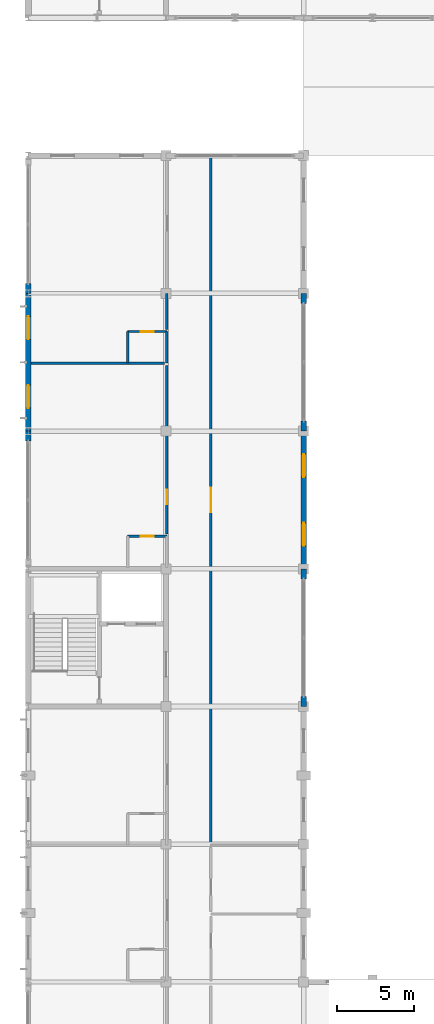
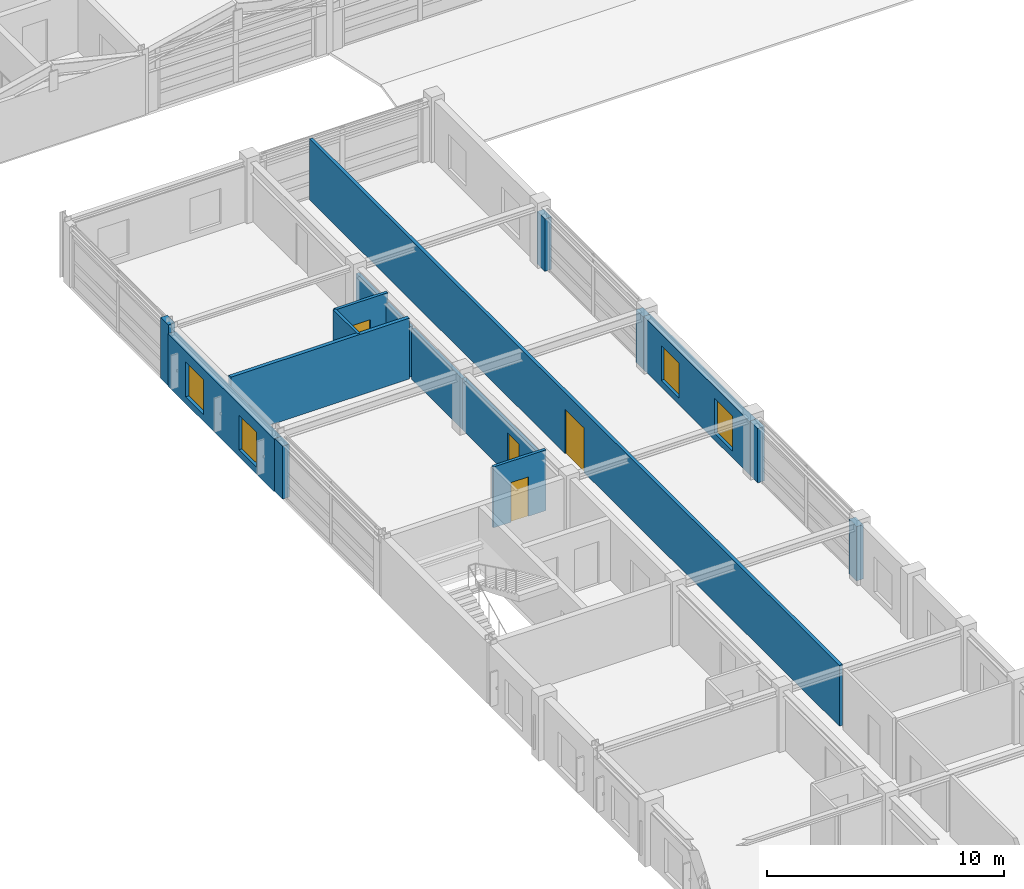
# One storey, part 73 of 91: 17 walls, 4 doors, 4 windows, 8 openings.
"""IFC4 building model written with IfcOpenShell, lengths in metres."""

from ifc_helpers import new_model, si_unit, direction, frame, frame_2d, origin, place, context, subcontext, project, spatial, rectangle, extrude, material, layer, layer_set, type_object, element, fill, save


model = new_model("IFC4")

# Units and contexts
model_context = context("Model", 3, precision=1e-05, world=origin(), true_north=direction((0.0, 1.0)))
body_context = subcontext(model_context, "Body", "Model", "MODEL_VIEW")
ifc_project = project(units=[si_unit("LENGTHUNIT", "METRE"), si_unit("AREAUNIT", "SQUARE_METRE"), si_unit("VOLUMEUNIT", "CUBIC_METRE"), si_unit("PLANEANGLEUNIT", "RADIAN"), si_unit("MASSUNIT", "GRAM", prefix="KILO")], contexts=[model_context])

# Site, building, storey
site_placement = place(None, origin())
site = spatial("IfcSite", under=ifc_project, at=site_placement, CompositionType="ELEMENT")
building_placement = place(site_placement, origin())
building = spatial("IfcBuilding", under=site, at=building_placement, Name="Palais des Congres Ocreval", CompositionType="ELEMENT")
storey_placement = place(building_placement, frame((0.0, 0.0, 8.159912109375)))
storey = spatial("IfcBuildingStorey", under=building, at=storey_placement, Name="L02", CompositionType="ELEMENT", Elevation=8.159912109375)

# Wall, opening, door
ifc_material_1 = material(Name="Moisture-resistant gypsum board")
ifc_layer_1 = layer(ifc_material_1, 0.139892578125)
ifc_layer_set_1 = layer_set([ifc_layer_1], Name="Bathroom Plumbing Chase Wall 140 Gypsum (Moisture-resistant gypsum board)")
wall_type_1 = type_object("IfcWallType", Name="Bathroom Plumbing Chase Wall 140 Gypsum", PredefinedType="PLUMBINGWALL", material=ifc_layer_set_1)
wall_1_placement = place(storey_placement, frame((6.5, 47.1298828125, 0.0), z_axis=(0.0, 0.0, 1.0), x_axis=(1.0, 0.0, 0.0)))
wall_1 = element("IfcWall", 1, at=wall_1_placement, inside=storey, type_object=wall_type_1, Name="Bathroom Plumbing Wall PW03 L02", PredefinedType="PLUMBINGWALL", context=body_context, shape_type="SweptSolid", body=[
    extrude(rectangle(XDim=2.56005859375, YDim=0.139892578125, at=frame_2d((1.280029296875, 0.0))), origin(), (0.0, 0.0, 1.0), 3.14013671875),
])
opening_1_placement = place(wall_1_placement, frame((0.85498046875, 0.0, 0.0)))
opening_1 = element("IfcOpeningElement", 2, at=opening_1_placement, cuts=wall_1, Name="Opening D08", PredefinedType="OPENING", context=body_context, shape_type="SweptSolid", body=[
    extrude(rectangle(XDim=0.85009765625, YDim=2.0400390625, at=frame_2d((0.425048828125, 1.02001953125))), frame((0.0, 0.079833984375, 0.0), z_axis=(0.0, -1.0, 0.0), x_axis=(1.0, 0.0, 0.0)), (0.0, 0.0, 1.0), 0.159912109375),
])
ifc_material_2 = material(Name="Solid French oak", Category="wood")
door_type_1 = type_object("IfcDoorType", Name="En-Suite Bathroom Door 850x2040", OperationType="NOTDEFINED", PredefinedType="DOOR", material=ifc_material_2)
door_1_placement = place(opening_1_placement, origin())
door_1 = element("IfcDoor", 3, at=door_1_placement, inside=storey, type_object=door_type_1, Name="En-Suite Bathroom Door D08 L02", OperationType="SINGLE_SWING_LEFT", OverallHeight=2.0400390625, OverallWidth=0.85009765625, PredefinedType="DOOR", context=body_context, shape_type="SweptSolid", body=[
    extrude(rectangle(XDim=0.85009765625, YDim=2.0400390625, at=frame_2d((0.425048828125, 1.02001953125))), frame((0.0, 0.02490234375, 0.0), z_axis=(0.0, -1.0, 0.0), x_axis=(1.0, 0.0, 0.0)), (0.0, 0.0, 1.0), 0.050048828125),
])
fill(opening_1, door_1)

wall_2_placement = place(storey_placement, frame((6.5, 60.5, 0.0), z_axis=(0.0, 0.0, 1.0), x_axis=(1.0, 0.0, 0.0)))
wall_2 = element("IfcWall", 4, at=wall_2_placement, inside=storey, type_object=wall_type_1, Name="Bathroom Plumbing Wall PW03 L02", PredefinedType="PLUMBINGWALL", context=body_context, shape_type="SweptSolid", body=[
    extrude(rectangle(XDim=2.56005859375, YDim=0.139892578125, at=frame_2d((1.280029296875, 0.0))), origin(), (0.0, 0.0, 1.0), 3.14013671875),
])
opening_2_placement = place(wall_2_placement, frame((0.85498046875, 0.0, 0.0)))
opening_2 = element("IfcOpeningElement", 5, at=opening_2_placement, cuts=wall_2, Name="Opening D08", PredefinedType="OPENING", context=body_context, shape_type="SweptSolid", body=[
    extrude(rectangle(XDim=0.85009765625, YDim=2.0400390625, at=frame_2d((0.425048828125, 1.02001953125))), frame((0.0, 0.079833984375, 0.0), z_axis=(0.0, -1.0, 0.0), x_axis=(1.0, 0.0, 0.0)), (0.0, 0.0, 1.0), 0.159912109375),
])
door_2_placement = place(opening_2_placement, origin())
door_2 = element("IfcDoor", 6, at=door_2_placement, inside=storey, type_object=door_type_1, Name="En-Suite Bathroom Door D08 L02", OperationType="SINGLE_SWING_RIGHT", OverallHeight=2.0400390625, OverallWidth=0.85009765625, PredefinedType="DOOR", context=body_context, shape_type="SweptSolid", body=[
    extrude(rectangle(XDim=0.85009765625, YDim=2.0400390625, at=frame_2d((0.425048828125, 1.02001953125))), frame((0.0, 0.02490234375, 0.0), z_axis=(0.0, -1.0, 0.0), x_axis=(1.0, 0.0, 0.0)), (0.0, 0.0, 1.0), 0.050048828125),
])
fill(opening_2, door_2)

# Walls
wall_3_placement = place(storey_placement, frame((6.5, 58.43994140625, 0.0), z_axis=(0.0, 0.0, 1.0), x_axis=(0.0, 1.0, 0.0)))
element("IfcWall", 7, at=wall_3_placement, inside=storey, type_object=wall_type_1, Name="Bathroom Plumbing Wall PW03 L02", PredefinedType="PLUMBINGWALL", context=body_context, shape_type="SweptSolid", body=[
    extrude(rectangle(XDim=2.06005859375, YDim=0.139892578125, at=frame_2d((1.030029296875, 0.0))), origin(), (0.0, 0.0, 1.0), 3.14013671875),
])
ifc_material_3 = material(Name="Gypsum acoustic partition")
ifc_layer_2 = layer(ifc_material_3, 0.159912109375)
ifc_layer_set_2 = layer_set([ifc_layer_2], Name="Corridor Fire Partition 160 Gypsum (Gypsum acoustic partition)")
wall_type_2 = type_object("IfcWallType", Name="Corridor Fire Partition 160 Gypsum", PredefinedType="PARTITIONING", material=ifc_layer_set_2)
wall_4_placement = place(storey_placement, frame((9.06005859375, 58.43994140625, 0.0), z_axis=(0.0, 0.0, 1.0), x_axis=(0.0, 1.0, 0.0)))
element("IfcWall", 8, at=wall_4_placement, inside=storey, type_object=wall_type_2, Name="Corridor Partition IW03 L02", PredefinedType="PARTITIONING", context=body_context, shape_type="SweptSolid", body=[
    extrude(rectangle(XDim=2.06005859375, YDim=0.159912109375, at=frame_2d((1.030029296875, 0.0))), origin(), (0.0, 0.0, 1.0), 2.610107421875),
])

# Wall, opening, door
wall_5_placement = place(storey_placement, frame((11.93505859375, 27.090087890625, 0.0), z_axis=(0.0, 0.0, 1.0), x_axis=(0.0, 1.0, 0.0)))
wall_5 = element("IfcWall", 9, at=wall_5_placement, inside=storey, type_object=wall_type_2, Name="Interior Partition IW03 L02", PredefinedType="PARTITIONING", context=body_context, shape_type="SweptSolid", body=[
    extrude(rectangle(XDim=44.81494140625, YDim=0.159912109375, at=frame_2d((22.407470703125, 0.0))), origin(), (0.0, 0.0, 1.0), 3.14013671875),
])
opening_3_placement = place(wall_5_placement, frame((21.607421875, 0.0, 0.0)))
opening_3 = element("IfcOpeningElement", 10, at=opening_3_placement, cuts=wall_5, Name="Opening D12", PredefinedType="OPENING", context=body_context, shape_type="SweptSolid", body=[
    extrude(rectangle(XDim=1.60009765625, YDim=2.300048828125, at=frame_2d((0.800048828125, 1.14990234375))), frame((0.0, 0.08984375, 0.0), z_axis=(0.0, -1.0, 0.0), x_axis=(1.0, 0.0, 0.0)), (0.0, 0.0, 1.0), 0.179931640625),
])
door_type_2 = type_object("IfcDoorType", Name="Meeting Room Acoustic Double Door 1600x2300", OperationType="NOTDEFINED", PredefinedType="DOOR", material=ifc_material_2)
door_3_placement = place(opening_3_placement, origin())
door_3 = element("IfcDoor", 11, at=door_3_placement, inside=storey, type_object=door_type_2, Name="Interior Door D12 L02", OperationType="DOUBLE_DOOR_SINGLE_SWING", OverallHeight=2.300048828125, OverallWidth=1.60009765625, PredefinedType="DOOR", context=body_context, shape_type="SweptSolid", body=[
    extrude(rectangle(XDim=1.60009765625, YDim=2.300048828125, at=frame_2d((0.800048828125, 1.14990234375))), frame((0.0, 0.02490234375, 0.0), z_axis=(0.0, -1.0, 0.0), x_axis=(1.0, 0.0, 0.0)), (0.0, 0.0, 1.0), 0.050048828125),
])
fill(opening_3, door_3)

wall_6_placement = place(storey_placement, frame((9.06494140625, 47.284912109375, 0.0), z_axis=(0.0, 0.0, 1.0), x_axis=(0.0, 1.0, 0.0)))
wall_6 = element("IfcWall", 12, at=wall_6_placement, inside=storey, type_object=wall_type_2, Name="Interior Partition IW03 L02", PredefinedType="PARTITIONING", context=body_context, shape_type="SweptSolid", body=[
    extrude(rectangle(XDim=6.695068359375, YDim=0.159912109375, at=frame_2d((3.34765625, 0.0))), origin(), (0.0, 0.0, 1.0), 2.66015625),
])
opening_4_placement = place(wall_6_placement, frame((1.925048828125, 0.0, 0.0)))
opening_4 = element("IfcOpeningElement", 13, at=opening_4_placement, cuts=wall_6, Name="Opening D05", PredefinedType="OPENING", context=body_context, shape_type="SweptSolid", body=[
    extrude(rectangle(XDim=0.949951171875, YDim=2.14990234375, at=frame_2d((0.47509765625, 1.074951171875))), frame((0.0, 0.08984375, 0.0), z_axis=(0.0, -1.0, 0.0), x_axis=(1.0, 0.0, 0.0)), (0.0, 0.0, 1.0), 0.179931640625),
])
door_type_3 = type_object("IfcDoorType", Name="Hotel Guestroom Entrance Door 950x2150", OperationType="NOTDEFINED", PredefinedType="DOOR", material=ifc_material_2)
door_4_placement = place(opening_4_placement, origin())
door_4 = element("IfcDoor", 14, at=door_4_placement, inside=storey, type_object=door_type_3, Name="Interior Door D05 L02", OperationType="SINGLE_SWING_RIGHT", OverallHeight=2.14990234375, OverallWidth=0.949951171875, PredefinedType="DOOR", context=body_context, shape_type="SweptSolid", body=[
    extrude(rectangle(XDim=0.949951171875, YDim=2.14990234375, at=frame_2d((0.47509765625, 1.074951171875))), frame((0.0, 0.02490234375, 0.0), z_axis=(0.0, -1.0, 0.0), x_axis=(1.0, 0.0, 0.0)), (0.0, 0.0, 1.0), 0.050048828125),
])
fill(opening_4, door_4)

# Walls
wall_7_placement = place(storey_placement, frame((9.06494140625, 60.655029296875, 0.0), z_axis=(0.0, 0.0, 1.0), x_axis=(0.0, 1.0, 0.0)))
element("IfcWall", 15, at=wall_7_placement, inside=storey, type_object=wall_type_2, Name="Interior Partition IW03 L02", PredefinedType="PARTITIONING", context=body_context, shape_type="SweptSolid", body=[
    extrude(rectangle(XDim=2.324951171875, YDim=0.159912109375, at=frame_2d((1.16259765625, 0.0))), origin(), (0.0, 0.0, 1.0), 2.610107421875),
])
wall_8_placement = place(storey_placement, frame((9.06494140625, 53.97998046875, 0.0), z_axis=(0.0, 0.0, 1.0), x_axis=(0.0, 1.0, 0.0)))
element("IfcWall", 16, at=wall_8_placement, inside=storey, type_object=wall_type_2, Name="Interior Partition IW03 L02", PredefinedType="PARTITIONING", context=body_context, shape_type="SweptSolid", body=[
    extrude(rectangle(XDim=4.300048828125, YDim=0.159912109375, at=frame_2d((2.14990234375, 0.0))), origin(), (0.0, 0.0, 1.0), 2.610107421875),
])
ifc_layer_3 = layer(ifc_material_3, 0.179931640625)
ifc_layer_set_3 = layer_set([ifc_layer_3], Name="Hotel Inter-Room Acoustic Partition 180 Gypsum (Gypsum acoustic partition)")
wall_type_3 = type_object("IfcWallType", Name="Hotel Inter-Room Acoustic Partition 180 Gypsum", PredefinedType="PARTITIONING", material=ifc_layer_set_3)
wall_9_placement = place(storey_placement, frame((0.195068359375, 58.43505859375, 0.0), z_axis=(0.0, 0.0, 1.0), x_axis=(1.0, 0.0, 0.0)))
element("IfcWall", 17, at=wall_9_placement, inside=storey, type_object=wall_type_3, Name="Hotel Party Partition IW02 L02", PredefinedType="PARTITIONING", context=body_context, shape_type="SweptSolid", body=[
    extrude(rectangle(XDim=8.7099609375, YDim=0.179931640625, at=frame_2d((4.35498046875, 0.0))), origin(), (0.0, 0.0, 1.0), 3.14013671875),
])

# Wall, openings, windows
ifc_material_4 = material(Name="Concrete C40/50", Category="concrete")
ifc_layer_4 = layer(ifc_material_4, 0.3798828125)
ifc_layer_set_4 = layer_set([ifc_layer_4], Name="Lutetian Limestone Street Wall 380 Concrete C40/50")
wall_type_4 = type_object("IfcWallType", Name="Lutetian Limestone Street Wall 380 Concrete C40/50", PredefinedType="SOLIDWALL", material=ifc_layer_set_4)
wall_10_placement = place(storey_placement, frame((0.0, 54.0, 0.0), z_axis=(0.0, 0.0, 1.0), x_axis=(0.0, 1.0, 0.0)))
wall_10 = element("IfcWall", 18, at=wall_10_placement, inside=storey, type_object=wall_type_4, Name="Exterior Wall EW03 L02", PredefinedType="SOLIDWALL", context=body_context, shape_type="SweptSolid", body=[
    extrude(rectangle(XDim=9.0, YDim=0.3798828125, at=frame_2d((4.5, 0.0))), origin(), (0.0, 0.0, 1.0), 2.7001953125),
])
opening_5_placement = place(wall_10_placement, frame((1.5, 0.0, 0.35009765625)))
opening_5 = element("IfcOpeningElement", 19, at=opening_5_placement, cuts=wall_10, Name="Opening WN06", PredefinedType="OPENING", context=body_context, shape_type="SweptSolid", body=[
    extrude(rectangle(XDim=1.5, YDim=1.800048828125, at=frame_2d((0.75, 0.89990234375))), frame((0.0, 0.199951171875, 0.0), z_axis=(0.0, -1.0, 0.0), x_axis=(1.0, 0.0, 0.0)), (0.0, 0.0, 1.0), 0.39990234375),
])
opening_6_placement = place(wall_10_placement, frame((6.0, 0.0, 0.35009765625)))
opening_6 = element("IfcOpeningElement", 20, at=opening_6_placement, cuts=wall_10, Name="Opening WN06", PredefinedType="OPENING", context=body_context, shape_type="SweptSolid", body=[
    extrude(rectangle(XDim=1.5, YDim=1.800048828125, at=frame_2d((0.75, 0.89990234375))), frame((0.0, 0.199951171875, 0.0), z_axis=(0.0, -1.0, 0.0), x_axis=(1.0, 0.0, 0.0)), (0.0, 0.0, 1.0), 0.39990234375),
])
ifc_material_5 = material(Name="Anodized bronze aluminium and low-E glass", Category="glass")
window_type = type_object("IfcWindowType", Name="Upper Setback Window 1500x1800", PartitioningType="SINGLE_PANEL", PredefinedType="WINDOW", material=ifc_material_5)
window_1_placement = place(opening_5_placement, origin())
window_1 = element("IfcWindow", 21, at=window_1_placement, inside=storey, type_object=window_type, Name="Hotel Facade Window WN06", OverallHeight=1.800048828125, OverallWidth=1.5, PartitioningType="SINGLE_PANEL", PredefinedType="WINDOW", context=body_context, shape_type="SweptSolid", body=[
    extrude(rectangle(XDim=1.5, YDim=1.800048828125, at=frame_2d((0.75, 0.89990234375))), frame((0.0, 0.030029296875, 0.0), z_axis=(0.0, -1.0, 0.0), x_axis=(1.0, 0.0, 0.0)), (0.0, 0.0, 1.0), 0.06005859375),
])
fill(opening_5, window_1)
window_2_placement = place(opening_6_placement, origin())
window_2 = element("IfcWindow", 22, at=window_2_placement, inside=storey, type_object=window_type, Name="Hotel Facade Window WN06", OverallHeight=1.800048828125, OverallWidth=1.5, PartitioningType="SINGLE_PANEL", PredefinedType="WINDOW", context=body_context, shape_type="SweptSolid", body=[
    extrude(rectangle(XDim=1.5, YDim=1.800048828125, at=frame_2d((0.75, 0.89990234375))), frame((0.0, 0.030029296875, 0.0), z_axis=(0.0, -1.0, 0.0), x_axis=(1.0, 0.0, 0.0)), (0.0, 0.0, 1.0), 0.06005859375),
])
fill(opening_6, window_2)

# Walls
ifc_layer_5 = layer(ifc_material_4, 0.340087890625)
ifc_layer_set_5 = layer_set([ifc_layer_5], Name="Ochre Mineral-Lime Courtyard Wall 340 Concrete C40/50")
wall_type_5 = type_object("IfcWallType", Name="Ochre Mineral-Lime Courtyard Wall 340 Concrete C40/50", PredefinedType="SOLIDWALL", material=ifc_layer_set_5)
wall_11_placement = place(storey_placement, frame((0.0, 53.35009765625, 0.0), z_axis=(0.0, 0.0, 1.0), x_axis=(0.0, 1.0, 0.0)))
element("IfcWall", 23, at=wall_11_placement, inside=storey, type_object=wall_type_5, Name="Facade Pier EW04 L02", PredefinedType="SOLIDWALL", context=body_context, shape_type="SweptSolid", body=[
    extrude(rectangle(XDim=0.64990234375, YDim=0.340087890625, at=frame_2d((0.324951171875, 0.0))), origin(), (0.0, 0.0, 1.0), 2.739990234375),
])
wall_12_placement = place(storey_placement, frame((0.0, 63.0, 0.0), z_axis=(0.0, 0.0, 1.0), x_axis=(0.0, 1.0, 0.0)))
element("IfcWall", 24, at=wall_12_placement, inside=storey, type_object=wall_type_5, Name="Facade Pier EW04 L02", PredefinedType="SOLIDWALL", context=body_context, shape_type="SweptSolid", body=[
    extrude(rectangle(XDim=0.64990234375, YDim=0.340087890625, at=frame_2d((0.324951171875, 0.0))), origin(), (0.0, 0.0, 1.0), 3.14013671875),
])
for number, where, z_axis, x_axis, name in (
    (25, (18.0, 63.0, 0.0), (0.0, 0.0, 1.0), (0.0, -1.0, 0.0), "Facade Pier EW04 L02"),
    (26, (18.0, 54.64990234375, 0.0), (0.0, 0.0, 1.0), (0.0, -1.0, 0.0), "Facade Pier EW04 L02"),
):
    element("IfcWall", number, at=place(storey_placement, frame(where, z_axis=z_axis, x_axis=x_axis)), inside=storey, type_object=wall_type_5, Name=name, PredefinedType="SOLIDWALL", context=body_context, shape_type="SweptSolid", body=[
        extrude(rectangle(XDim=0.64990234375, YDim=0.340087890625, at=frame_2d((0.324951171875, 0.0))), origin(), (0.0, 0.0, 1.0), 2.7001953125),
    ])

# Wall, openings, windows
wall_13_placement = place(storey_placement, frame((18.0, 54.0, 0.0), z_axis=(0.0, 0.0, 1.0), x_axis=(0.0, -1.0, 0.0)))
wall_13 = element("IfcWall", 27, at=wall_13_placement, inside=storey, type_object=wall_type_5, Name="Exterior Wall EW04 L02", PredefinedType="SOLIDWALL", context=body_context, shape_type="SweptSolid", body=[
    extrude(rectangle(XDim=9.0, YDim=0.340087890625, at=frame_2d((4.5, 0.0))), origin(), (0.0, 0.0, 1.0), 2.739990234375),
])
opening_7_placement = place(wall_13_placement, frame((1.5, 0.0, 0.35009765625)))
opening_7 = element("IfcOpeningElement", 28, at=opening_7_placement, cuts=wall_13, Name="Opening WN06", PredefinedType="OPENING", context=body_context, shape_type="SweptSolid", body=[
    extrude(rectangle(XDim=1.5, YDim=1.800048828125, at=frame_2d((0.75, 0.89990234375))), frame((0.0, 0.179931640625, 0.0), z_axis=(0.0, -1.0, 0.0), x_axis=(1.0, 0.0, 0.0)), (0.0, 0.0, 1.0), 0.360107421875),
])
opening_8_placement = place(wall_13_placement, frame((6.0, 0.0, 0.35009765625)))
opening_8 = element("IfcOpeningElement", 29, at=opening_8_placement, cuts=wall_13, Name="Opening WN06", PredefinedType="OPENING", context=body_context, shape_type="SweptSolid", body=[
    extrude(rectangle(XDim=1.5, YDim=1.800048828125, at=frame_2d((0.75, 0.89990234375))), frame((0.0, 0.179931640625, 0.0), z_axis=(0.0, -1.0, 0.0), x_axis=(1.0, 0.0, 0.0)), (0.0, 0.0, 1.0), 0.360107421875),
])
window_3_placement = place(opening_7_placement, origin())
window_3 = element("IfcWindow", 30, at=window_3_placement, inside=storey, type_object=window_type, Name="Hotel Facade Window WN06", OverallHeight=1.800048828125, OverallWidth=1.5, PartitioningType="SINGLE_PANEL", PredefinedType="WINDOW", context=body_context, shape_type="SweptSolid", body=[
    extrude(rectangle(XDim=1.5, YDim=1.800048828125, at=frame_2d((0.75, 0.89990234375))), frame((0.0, 0.030029296875, 0.0), z_axis=(0.0, -1.0, 0.0), x_axis=(1.0, 0.0, 0.0)), (0.0, 0.0, 1.0), 0.06005859375),
])
fill(opening_7, window_3)
window_4_placement = place(opening_8_placement, origin())
window_4 = element("IfcWindow", 31, at=window_4_placement, inside=storey, type_object=window_type, Name="Hotel Facade Window WN06", OverallHeight=1.800048828125, OverallWidth=1.5, PartitioningType="SINGLE_PANEL", PredefinedType="WINDOW", context=body_context, shape_type="SweptSolid", body=[
    extrude(rectangle(XDim=1.5, YDim=1.800048828125, at=frame_2d((0.75, 0.89990234375))), frame((0.0, 0.030029296875, 0.0), z_axis=(0.0, -1.0, 0.0), x_axis=(1.0, 0.0, 0.0)), (0.0, 0.0, 1.0), 0.06005859375),
])
fill(opening_8, window_4)

# Walls
for number, where, z_axis, x_axis, name in (
    (32, (18.0, 45.0, 0.0), (0.0, 0.0, 1.0), (0.0, -1.0, 0.0), "Facade Pier EW04 L02"),
    (33, (18.0, 36.64990234375, 0.0), (0.0, 0.0, 1.0), (0.0, -1.0, 0.0), "Facade Pier EW04 L02"),
):
    element("IfcWall", number, at=place(storey_placement, frame(where, z_axis=z_axis, x_axis=x_axis)), inside=storey, type_object=wall_type_5, Name=name, PredefinedType="SOLIDWALL", context=body_context, shape_type="SweptSolid", body=[
        extrude(rectangle(XDim=0.64990234375, YDim=0.340087890625, at=frame_2d((0.324951171875, 0.0))), origin(), (0.0, 0.0, 1.0), 2.800048828125),
    ])

save(model, "model.ifc")
